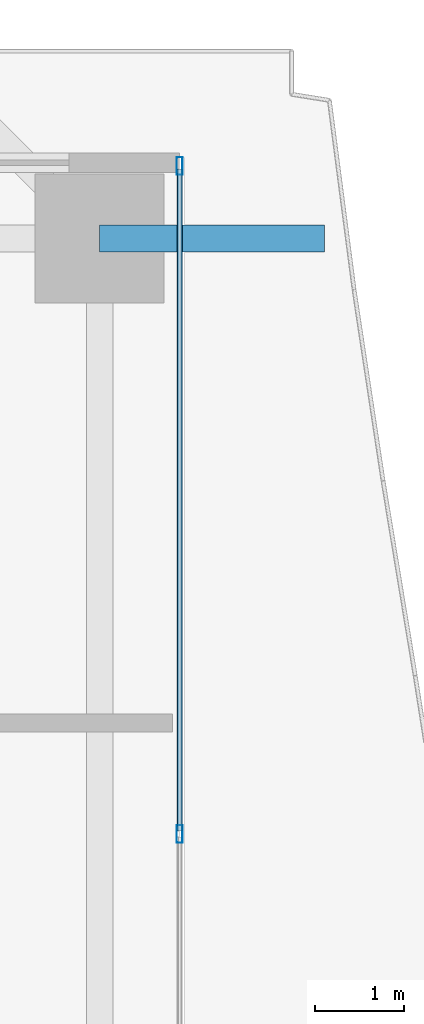
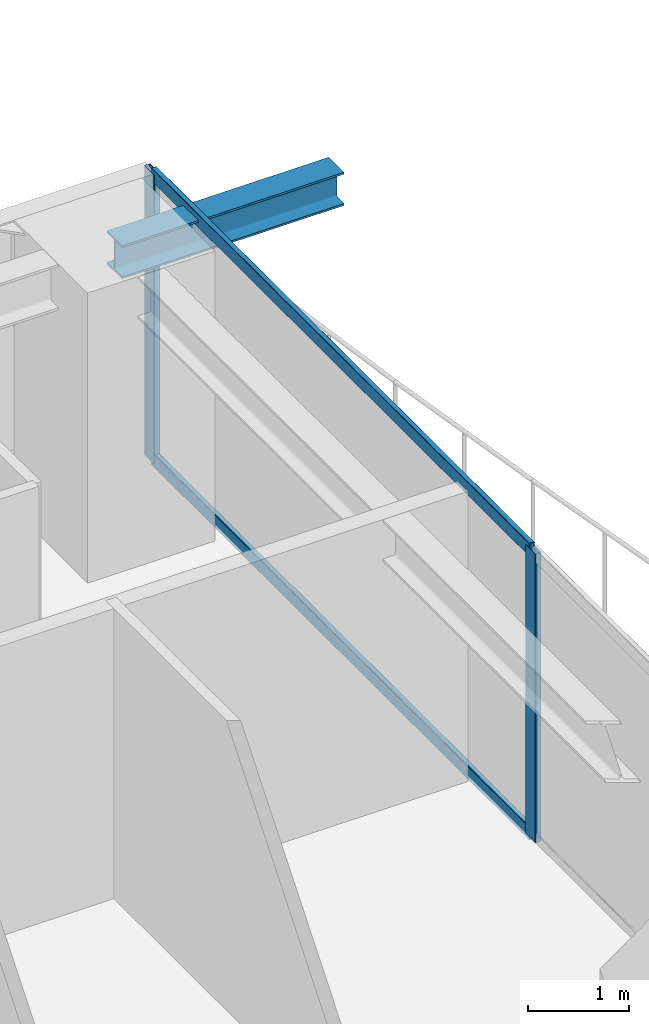
# One storey, part 23 of 39: 4 members, 1 beam, 1 element without a shape of its own.
"""IFC4 building model written with IfcOpenShell, lengths in metres."""

from ifc_helpers import new_model, si_unit, direction, frame, origin, origin_2d, place, context, subcontext, project, spatial, hollow_rectangle, i_section, extrude, source, transform, mapped, material, layer, layer_set, material_profile, profile_set, type_object, element, aggregate, save


model = new_model("IFC4")

# Units and contexts
model_context = context("Model", 3, precision=1e-05, world=origin(), true_north=direction((0.0, 1.0)))
body_context = subcontext(model_context, "Body", "Model", "MODEL_VIEW")
ifc_project = project(units=[si_unit("LENGTHUNIT", "METRE"), si_unit("AREAUNIT", "SQUARE_METRE"), si_unit("VOLUMEUNIT", "CUBIC_METRE"), si_unit("PLANEANGLEUNIT", "RADIAN"), si_unit("MASSUNIT", "GRAM", prefix="KILO")], contexts=[model_context])

# Site, building, storey
site_placement = place(None, origin())
site = spatial("IfcSite", under=ifc_project, at=site_placement, CompositionType="ELEMENT")
building_placement = place(site_placement, origin())
building = spatial("IfcBuilding", under=site, at=building_placement, Name="Serunith Strait Residences", CompositionType="ELEMENT")
storey_placement = place(building_placement, frame((0.0, 0.0, 79.199951171875)))
storey = spatial("IfcBuildingStorey", under=building, at=storey_placement, Name="L19", CompositionType="ELEMENT", Elevation=79.199951171875)

# Beam
ifc_material_1 = material(Name="Steel S355J2", Category="steel")
ifc_material_profile_1 = material_profile(ifc_material_1, i_section(OverallWidth=0.300048828125, OverallDepth=0.39990234375, WebThickness=0.013427734375, FlangeThickness=0.02392578125, FilletRadius=0.027099609375, at=origin_2d()), Name="HEB 400")
ifc_profile_set_1 = profile_set([ifc_material_profile_1], Name="Steel S355J2")
beam_type = type_object("IfcBeamType", Name="BM-HEB400", PredefinedType="BEAM", material=ifc_profile_set_1)
shared_shape_1 = source(origin(), body_context, "Body", "SweptSolid", [
    extrude(i_section(OverallWidth=0.300048828125, OverallDepth=0.39990234375, WebThickness=0.013427734375, FlangeThickness=0.02392578125, FilletRadius=0.027099609375, at=origin_2d()), origin(), (0.0, 0.0, 1.0), 2.527587890625),
])
beam_placement = place(storey_placement, frame((57.89990234375, 40.949951171875, 3.257080078125), z_axis=(1.0, 0.0, 0.0), x_axis=(0.0, 1.0, 0.0)))
element("IfcBeam", 1, at=beam_placement, inside=storey, type_object=beam_type, Name="L20 Cantilevered Balcony Rib TC-E4", PredefinedType="BEAM", context=body_context, shape_type="MappedRepresentation", body=[
    mapped(shared_shape_1, transform((0.0, 0.0, 0.0), scale=1.0)),
])

# Curtain wall, members
ifc_material_2 = material(Name="Pale-Champagne Anodised Aluminium", Category="aluminium")
ifc_layer = layer(ifc_material_2, 0.199951171875, Name="Pale-Champagne Anodised Aluminium")
ifc_layer_set = layer_set([ifc_layer], Name="Pale-Champagne Anodised Aluminium")
curtain_wall_type = type_object("IfcCurtainWallType", Name="CW-SYS1", PredefinedType="NOTDEFINED", material=ifc_layer_set)
curtain_wall_placement = place(storey_placement, origin())
curtain_wall = element("IfcCurtainWall", 2, at=curtain_wall_placement, inside=storey, type_object=curtain_wall_type, Name="L19 E Unitised Fritted Curtain Wall", PredefinedType="NOTDEFINED")
ifc_material_profile_2 = material_profile(ifc_material_2, hollow_rectangle(XDim=0.070068359375, YDim=0.199951171875, WallThickness=0.00390625, InnerFilletRadius=0.006103515625, OuterFilletRadius=0.010009765625, at=origin_2d()), Name="ALU 200x70x4")
ifc_profile_set_2 = profile_set([ifc_material_profile_2], Name="Pale-Champagne Anodised Aluminium")
member_type_1 = type_object("IfcMemberType", Name="CW-SYS1-MULL", PredefinedType="MULLION", material=ifc_profile_set_2)
shared_shape_2 = source(origin(), body_context, "Body", "SweptSolid", [
    extrude(hollow_rectangle(XDim=0.070068359375, YDim=0.199951171875, WallThickness=0.00390625, InnerFilletRadius=0.006103515625, OuterFilletRadius=0.010009765625, at=origin_2d()), origin(), (0.0, 0.0, 1.0), 3.47509765625),
])
member_1_placement = place(storey_placement, frame((58.800048828125, 34.25, 0.0), z_axis=(0.0, 0.0, 1.0), x_axis=(-1.0, 0.0, 0.0)))
member_1 = element("IfcMember", 3, at=member_1_placement, type_object=member_type_1, Name="CW-1 mullion 2", PredefinedType="MULLION", context=body_context, shape_type="MappedRepresentation", body=[
    mapped(shared_shape_2, transform((0.0, 0.0, 0.0), scale=1.0)),
])
member_2_placement = place(storey_placement, frame((58.800048828125, 41.764892578125, 0.0), z_axis=(0.0, 0.0, 1.0), x_axis=(-1.0, 0.0, 0.0)))
member_2 = element("IfcMember", 4, at=member_2_placement, type_object=member_type_1, Name="CW-1 mullion 3", PredefinedType="MULLION", context=body_context, shape_type="MappedRepresentation", body=[
    mapped(shared_shape_2, transform((0.0, 0.0, 0.0), scale=1.0)),
])
ifc_material_profile_3 = material_profile(ifc_material_2, hollow_rectangle(XDim=0.06005859375, YDim=0.159912109375, WallThickness=0.00341796875, InnerFilletRadius=0.00537109375, OuterFilletRadius=0.0087890625, at=origin_2d()), Name="ALU 160x60x3.5")
ifc_profile_set_3 = profile_set([ifc_material_profile_3], Name="Pale-Champagne Anodised Aluminium")
member_type_2 = type_object("IfcMemberType", Name="CW-SYS1-TRAN", PredefinedType="USERDEFINED", material=ifc_profile_set_3)
shared_shape_3 = source(origin(), body_context, "Body", "SweptSolid", [
    extrude(hollow_rectangle(XDim=0.06005859375, YDim=0.159912109375, WallThickness=0.00341796875, InnerFilletRadius=0.00537109375, OuterFilletRadius=0.0087890625, at=origin_2d()), origin(), (0.0, 0.0, 1.0), 7.445068359375),
])
member_3_placement = place(storey_placement, frame((58.800048828125, 34.284912109375, 0.030029296875), z_axis=(0.0, 1.0, 0.0), x_axis=(-1.0, 0.0, 0.0)))
member_3 = element("IfcMember", 5, at=member_3_placement, type_object=member_type_2, Name="CW-1 transom 2.1", ObjectType="TRANSOM", PredefinedType="USERDEFINED", context=body_context, shape_type="MappedRepresentation", body=[
    mapped(shared_shape_3, transform((0.0, 0.0, 0.0), scale=1.0)),
])
member_4_placement = place(storey_placement, frame((58.800048828125, 34.284912109375, 3.445068359375), z_axis=(0.0, 1.0, 0.0), x_axis=(-1.0, 0.0, 0.0)))
member_4 = element("IfcMember", 6, at=member_4_placement, type_object=member_type_2, Name="CW-1 transom 2.2", ObjectType="TRANSOM", PredefinedType="USERDEFINED", context=body_context, shape_type="MappedRepresentation", body=[
    mapped(shared_shape_3, transform((0.0, 0.0, 0.0), scale=1.0)),
])
aggregate(curtain_wall, [member_1, member_2, member_3, member_4])

save(model, "model.ifc")
